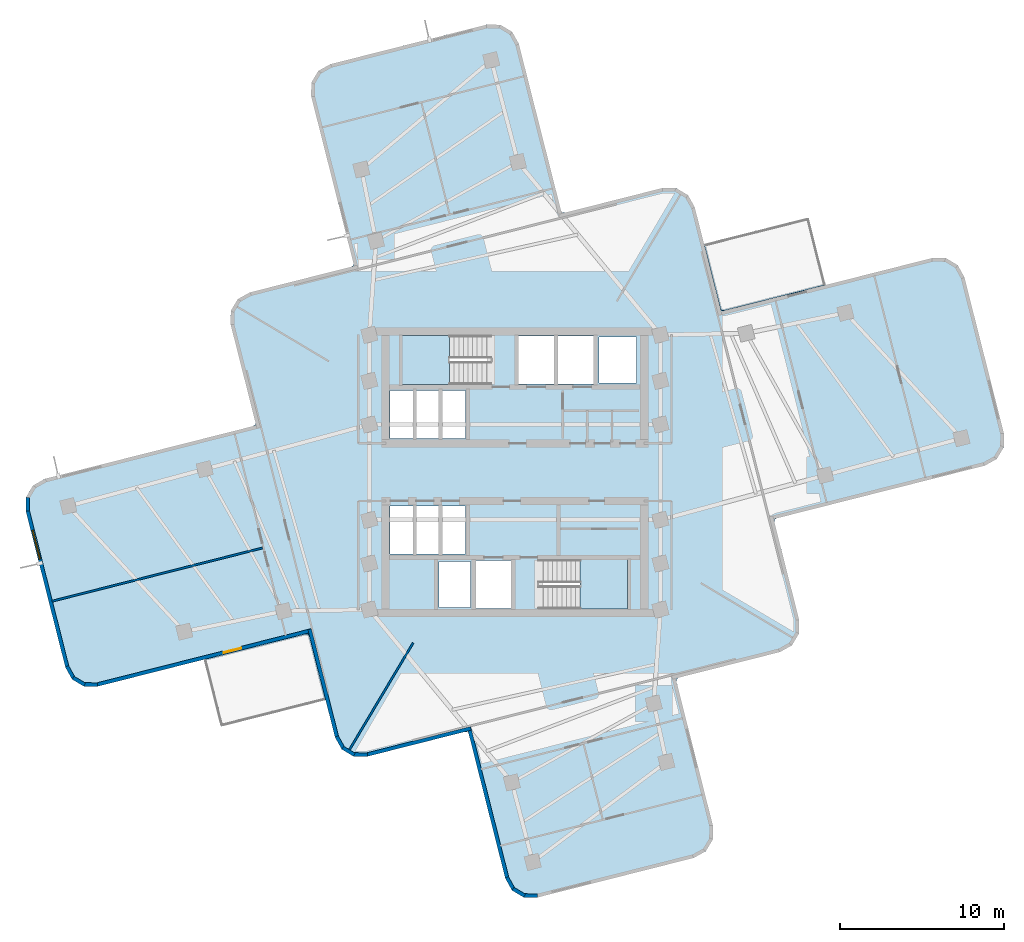
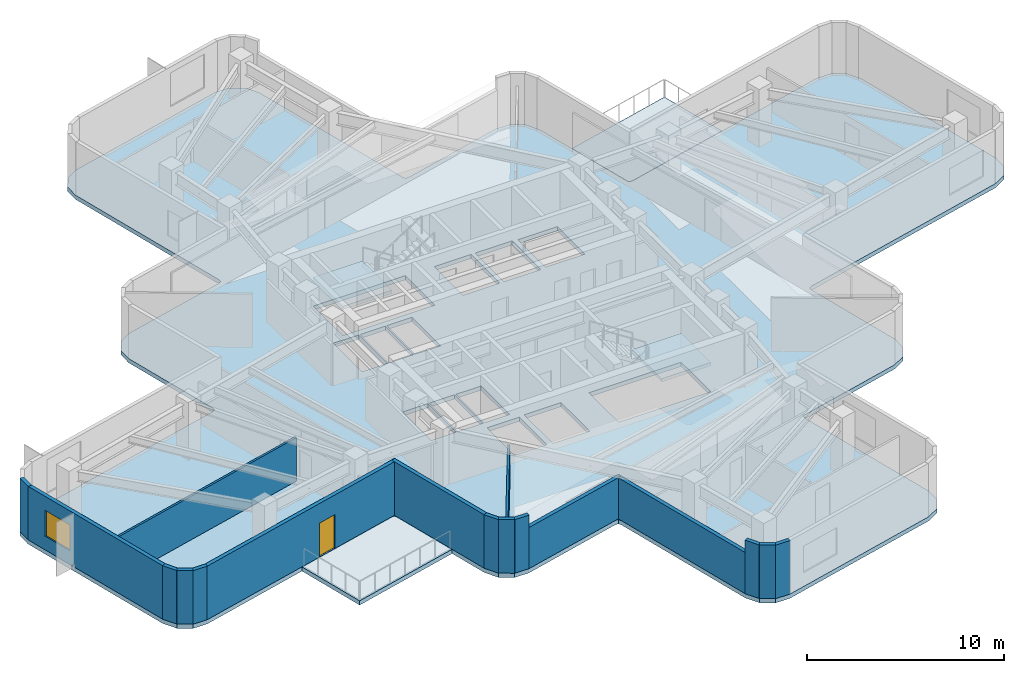
# One storey, part 2 of 9: 17 walls, 5 slabs, 1 door, 1 window, 2 openings, 2 elements without a shape of their own.
"""IFC4 building model written with IfcOpenShell, lengths in metres."""

from ifc_helpers import new_model, si_unit, direction, frame, frame_2d, origin, place, context, subcontext, project, spatial, polyline, rectangle, outline, extrude, material, layer, layer_set, type_object, element, fill, aggregate, save


model = new_model("IFC4")

# Units and contexts
model_context = context("Model", 3, precision=1e-05, world=origin(), true_north=direction((0.0, 1.0)))
body_context = subcontext(model_context, "Body", "Model", "MODEL_VIEW")
ifc_project = project(units=[si_unit("LENGTHUNIT", "METRE"), si_unit("AREAUNIT", "SQUARE_METRE"), si_unit("VOLUMEUNIT", "CUBIC_METRE"), si_unit("PLANEANGLEUNIT", "RADIAN"), si_unit("MASSUNIT", "GRAM", prefix="KILO")], contexts=[model_context])

# Site, building, storey
site_placement = place(None, origin())
site = spatial("IfcSite", under=ifc_project, at=site_placement, CompositionType="ELEMENT")
building_placement = place(site_placement, origin())
building = spatial("IfcBuilding", under=site, at=building_placement, Name="Solmarez Civic Tower", CompositionType="ELEMENT")
storey_placement = place(building_placement, frame((0.0, 0.0, 130.679931640625)))
storey = spatial("IfcBuildingStorey", under=building, at=storey_placement, Name="L34", CompositionType="ELEMENT", Elevation=130.679931640625)

# Stair, slab
ifc_material_1 = material(Name="Concrete C50/60", Category="concrete")
stair_type = type_object("IfcStairType", Name="STAIR-DOGLEG-140W-20R-1800", PredefinedType="HALF_TURN_STAIR", material=ifc_material_1)
stair_1_placement = place(storey_placement, origin())
stair_1 = element("IfcStair", 1, at=stair_1_placement, inside=storey, type_object=stair_type, Name="L34 North Core Protected Exit Stair ST-1", PredefinedType="HALF_TURN_STAIR")
ifc_layer_1 = layer(ifc_material_1, 0.199951171875)
ifc_layer_set_1 = layer_set([ifc_layer_1], Name="Concrete C50/60")
slab_type_1 = type_object("IfcSlabType", Name="SLAB-LANDING-200", PredefinedType="LANDING", material=ifc_layer_set_1)
slab_1_placement = place(storey_placement, frame((0.0, 0.0, 1.60009765625)))
slab_1 = element("IfcSlab", 2, at=slab_1_placement, type_object=slab_type_1, Name="ST-1 landing 1", PredefinedType="LANDING", context=body_context, shape_type="SweptSolid", body=[
    extrude(outline(polyline([(-3.969970703125, 8.320068359375), (-6.85009765625, 8.320068359375), (-6.85009765625, 5.320068359375), (-3.969970703125, 5.320068359375), (-3.969970703125, 8.320068359375)])), origin(), (0.0, 0.0, 1.0), 0.199951171875),
])
aggregate(stair_1, [slab_1])

stair_2_placement = place(storey_placement, origin())
stair_2 = element("IfcStair", 3, at=stair_2_placement, inside=storey, type_object=stair_type, Name="L34 South Core Protected Exit Stair ST-2", PredefinedType="HALF_TURN_STAIR")
slab_2_placement = place(storey_placement, frame((0.0, 0.0, 1.60009765625)))
slab_2 = element("IfcSlab", 4, at=slab_2_placement, type_object=slab_type_1, Name="ST-2 landing 1", PredefinedType="LANDING", context=body_context, shape_type="SweptSolid", body=[
    extrude(outline(polyline([(3.969970703125, -8.320068359375), (6.85009765625, -8.320068359375), (6.85009765625, -5.320068359375), (3.969970703125, -5.320068359375), (3.969970703125, -8.320068359375)])), origin(), (0.0, 0.0, 1.0), 0.199951171875),
])
aggregate(stair_2, [slab_2])

# Slabs
ifc_layer_2 = layer(ifc_material_1, 0.260009765625)
ifc_layer_set_2 = layer_set([ifc_layer_2], Name="Concrete C50/60")
slab_type_2 = type_object("IfcSlabType", Name="SLAB-TOWER-260", PredefinedType="FLOOR", material=ifc_layer_set_2)
slab_3_placement = place(storey_placement, frame((0.0, 0.0, -0.260009765625)))
element("IfcSlab", 5, at=slab_3_placement, inside=storey, type_object=slab_type_2, Name="L34 Structural Slab", PredefinedType="FLOOR", context=body_context, shape_type="SweptSolid", body=[
    extrude(outline(polyline([(-12.48388671875, -9.97802734375), (-10.928955078125, -16.1240234375), (-10.52490234375, -16.846923828125), (-9.81298828125, -17.27099609375), (-8.985107421875, -17.281982421875), (-3.052978515625, -15.781005859375), (-2.881103515625, -15.782958984375), (-2.797119140625, -15.93408203125), (-0.5791015625, -24.697021484375), (-0.175048828125, -25.419921875), (0.535888671875, -25.843994140625), (1.364013671875, -25.85498046875), (10.884033203125, -23.446044921875), (11.60693359375, -23.0419921875), (12.031005859375, -22.3310546875), (12.04296875, -21.5029296875), (9.824951171875, -12.739990234375), (9.827880859375, -12.568115234375), (9.97802734375, -12.48388671875), (16.1240234375, -10.928955078125), (16.846923828125, -10.52490234375), (17.27099609375, -9.81298828125), (17.281982421875, -8.985107421875), (15.781005859375, -3.052978515625), (15.782958984375, -2.881103515625), (15.93408203125, -2.797119140625), (28.574951171875, 0.402099609375), (29.297119140625, 0.805908203125), (29.721923828125, 1.51708984375), (29.73291015625, 2.344970703125), (27.323974609375, 11.864990234375), (26.919921875, 12.587890625), (26.208984375, 13.011962890625), (25.381103515625, 13.02392578125), (12.739990234375, 9.824951171875), (12.568115234375, 9.827880859375), (12.48388671875, 9.97802734375), (10.928955078125, 16.1240234375), (10.52490234375, 16.846923828125), (9.81298828125, 17.27099609375), (8.985107421875, 17.281982421875), (3.052978515625, 15.781005859375), (2.881103515625, 15.782958984375), (2.797119140625, 15.93408203125), (0.236083984375, 26.053955078125), (-0.16796875, 26.777099609375), (-0.87890625, 27.200927734375), (-1.7080078125, 27.212890625), (-11.22802734375, 24.803955078125), (-11.950927734375, 24.39990234375), (-12.375, 23.68798828125), (-12.385986328125, 22.860107421875), (-9.824951171875, 12.739990234375), (-9.827880859375, 12.568115234375), (-9.97802734375, 12.48388671875), (-16.1240234375, 10.928955078125), (-16.846923828125, 10.52490234375), (-17.27099609375, 9.81298828125), (-17.281982421875, 8.985107421875), (-15.781005859375, 3.052978515625), (-15.782958984375, 2.881103515625), (-15.93408203125, 2.797119140625), (-28.574951171875, -0.402099609375), (-29.297119140625, -0.805908203125), (-29.721923828125, -1.51708984375), (-29.73291015625, -2.344970703125), (-27.323974609375, -11.864990234375), (-26.919921875, -12.587890625), (-26.208984375, -13.011962890625), (-25.381103515625, -13.02392578125), (-12.739990234375, -9.824951171875), (-12.568115234375, -9.827880859375), (-12.48388671875, -9.97802734375)]), holes=[polyline([(-1.449951171875, 8.320068359375), (-6.85009765625, 8.320068359375), (-6.85009765625, 5.320068359375), (-1.449951171875, 5.320068359375), (-1.449951171875, 8.320068359375)]), polyline([(1.449951171875, -8.320068359375), (6.85009765625, -8.320068359375), (6.85009765625, -5.320068359375), (1.449951171875, -5.320068359375), (1.449951171875, -8.320068359375)]), polyline([(0.219970703125, 5.360107421875), (2.3798828125, 5.360107421875), (2.3798828125, 8.280029296875), (0.219970703125, 8.280029296875), (0.219970703125, 5.360107421875)]), polyline([(2.6201171875, 5.360107421875), (4.780029296875, 5.360107421875), (4.780029296875, 8.280029296875), (2.6201171875, 8.280029296875), (2.6201171875, 5.360107421875)]), polyline([(-2.3798828125, -8.280029296875), (-0.219970703125, -8.280029296875), (-0.219970703125, -5.360107421875), (-2.3798828125, -5.360107421875), (-2.3798828125, -8.280029296875)]), polyline([(-7.60009765625, -4.9599609375), (-6.1201171875, -4.9599609375), (-6.1201171875, -2.06005859375), (-7.60009765625, -2.06005859375), (-7.60009765625, -4.9599609375)]), polyline([(-6.0400390625, -4.9599609375), (-4.56005859375, -4.9599609375), (-4.56005859375, -2.06005859375), (-6.0400390625, -2.06005859375), (-6.0400390625, -4.9599609375)]), polyline([(-4.47998046875, -4.9599609375), (-3.0, -4.9599609375), (-3.0, -2.06005859375), (-4.47998046875, -2.06005859375), (-4.47998046875, -4.9599609375)]), polyline([(-7.60009765625, 2.06005859375), (-6.1201171875, 2.06005859375), (-6.1201171875, 4.9599609375), (-7.60009765625, 4.9599609375), (-7.60009765625, 2.06005859375)]), polyline([(-6.0400390625, 2.06005859375), (-4.56005859375, 2.06005859375), (-4.56005859375, 4.9599609375), (-6.0400390625, 4.9599609375), (-6.0400390625, 2.06005859375)]), polyline([(-4.47998046875, 2.06005859375), (-3.0, 2.06005859375), (-3.0, 4.9599609375), (-4.47998046875, 4.9599609375), (-4.47998046875, 2.06005859375)]), polyline([(5.10009765625, 5.419921875), (7.39990234375, 5.419921875), (7.39990234375, 8.219970703125), (5.10009765625, 8.219970703125), (5.10009765625, 5.419921875)]), polyline([(-4.60009765625, -8.219970703125), (-2.699951171875, -8.219970703125), (-2.699951171875, -5.419921875), (-4.60009765625, -5.419921875), (-4.60009765625, -8.219970703125)])]), origin(), (0.0, 0.0, 1.0), 0.260009765625),
])
slab_4_placement = place(storey_placement, frame((0.0, 0.0, -0.260009765625)))
element("IfcSlab", 6, at=slab_4_placement, inside=storey, type_object=slab_type_2, Name="L34 Re-entrant Corner Winter-Garden Balcony NE", PredefinedType="FLOOR", context=body_context, shape_type="SweptSolid", body=[
    extrude(outline(polyline([(11.507080078125, 13.845947265625), (12.486083984375, 9.97900390625), (12.569091796875, 9.830078125), (12.739013671875, 9.826904296875), (18.885009765625, 11.382080078125), (17.85498046875, 15.451904296875), (11.507080078125, 13.845947265625)])), origin(), (0.0, 0.0, 1.0), 0.260009765625),
])
slab_5_placement = place(storey_placement, frame((0.0, 0.0, -0.260009765625)))
element("IfcSlab", 7, at=slab_5_placement, inside=storey, type_object=slab_type_2, Name="L34 Re-entrant Corner Winter-Garden Balcony SW", PredefinedType="FLOOR", context=body_context, shape_type="SweptSolid", body=[
    extrude(outline(polyline([(-11.507080078125, -13.845947265625), (-12.486083984375, -9.97900390625), (-12.569091796875, -9.830078125), (-12.739013671875, -9.826904296875), (-18.885009765625, -11.382080078125), (-17.85498046875, -15.451904296875), (-11.507080078125, -13.845947265625)])), origin(), (0.0, 0.0, 1.0), 0.260009765625),
])

# Wall, opening, door
ifc_material_2 = material(Name="Precast concrete C40/50", Category="concrete")
ifc_layer_3 = layer(ifc_material_2, 0.219970703125)
ifc_layer_set_3 = layer_set([ifc_layer_3], Name="Precast concrete C40/50")
wall_type_1 = type_object("IfcWallType", Name="WALL-EXT-220", PredefinedType="SOLIDWALL", material=ifc_layer_set_3)
wall_1_placement = place(storey_placement, frame((-12.37109375, -9.617919921875, 0.0), z_axis=(0.0, 0.0, 1.0), x_axis=(-0.969434127448, -0.245351732293, 0.0)))
wall_1 = element("IfcWall", 8, at=wall_1_placement, inside=storey, type_object=wall_type_1, Name="L34 Exterior Precast Wall 2", PredefinedType="SOLIDWALL", context=body_context, shape_type="SweptSolid", body=[
    extrude(rectangle(XDim=13.458251953125, YDim=0.219970703125, at=frame_2d((6.72900390625, 0.0))), origin(), (0.0, 0.0, 1.0), 3.320068359375),
])
opening_1_placement = place(wall_1_placement, frame((4.39990234375, 0.0, 0.0)))
opening_1 = element("IfcOpeningElement", 9, at=opening_1_placement, cuts=wall_1, Name="Opening D-06", PredefinedType="OPENING", context=body_context, shape_type="SweptSolid", body=[
    extrude(rectangle(XDim=1.10009765625, YDim=2.10009765625, at=frame_2d((0.550048828125, 1.050048828125))), frame((0.0, 0.119873046875, 0.0), z_axis=(0.0, -1.0, 0.0), x_axis=(1.0, 0.0, 0.0)), (0.0, 0.0, 1.0), 0.239990234375),
])
ifc_material_3 = material(Name="Bronze Anodised Aluminium Glazed Terrace Door", Category="aluminium")
door_type = type_object("IfcDoorType", Name="DOOR-TERR-1100", OperationType="NOTDEFINED", PredefinedType="DOOR", material=ifc_material_3)
door_placement = place(opening_1_placement, origin())
door = element("IfcDoor", 10, at=door_placement, inside=storey, type_object=door_type, Name="L34 Outdoor Terrace Glazed Door", OperationType="SINGLE_SWING_RIGHT", OverallHeight=2.10009765625, OverallWidth=1.10009765625, PredefinedType="DOOR", context=body_context, shape_type="SweptSolid", body=[
    extrude(rectangle(XDim=1.10009765625, YDim=2.10009765625, at=frame_2d((0.550048828125, 1.050048828125))), frame((0.0, 0.02490234375, 0.0), z_axis=(0.0, -1.0, 0.0), x_axis=(1.0, 0.0, 0.0)), (0.0, 0.0, 1.0), 0.050048828125),
])
fill(opening_1, door)

# Walls
wall_2_placement = place(storey_placement, frame((-25.368896484375, -12.9140625, 0.0), z_axis=(0.0, 0.0, 1.0), x_axis=(-0.999913243347, 0.013172159236, 0.0)))
element("IfcWall", 11, at=wall_2_placement, inside=storey, type_object=wall_type_1, Name="L34 Exterior Precast Wall 3", PredefinedType="SOLIDWALL", context=body_context, shape_type="SweptSolid", body=[
    extrude(rectangle(XDim=0.833984375, YDim=0.219970703125, at=frame_2d((0.4169921875, 0.0))), origin(), (0.0, 0.0, 1.0), 3.320068359375),
])
wall_3_placement = place(storey_placement, frame((-26.156982421875, -12.916015625, 0.0), z_axis=(0.0, 0.0, 1.0), x_axis=(-0.858543269067, 0.512741119026, 0.0)))
element("IfcWall", 12, at=wall_3_placement, inside=storey, type_object=wall_type_1, Name="L34 Exterior Precast Wall 4", PredefinedType="SOLIDWALL", context=body_context, shape_type="SweptSolid", body=[
    extrude(rectangle(XDim=0.819091796875, YDim=0.219970703125, at=frame_2d((0.40966796875, 0.0))), origin(), (0.0, 0.0, 1.0), 3.320068359375),
])
wall_4_placement = place(storey_placement, frame((-26.826904296875, -12.531005859375, 0.0), z_axis=(0.0, 0.0, 1.0), x_axis=(-0.486561807946, 0.873646156661, 0.0)))
element("IfcWall", 13, at=wall_4_placement, inside=storey, type_object=wall_type_1, Name="L34 Exterior Precast Wall 5", PredefinedType="SOLIDWALL", context=body_context, shape_type="SweptSolid", body=[
    extrude(rectangle(XDim=0.83447265625, YDim=0.219970703125, at=frame_2d((0.417236328125, 0.0))), origin(), (0.0, 0.0, 1.0), 3.320068359375),
])

# Wall, opening, window
wall_5_placement = place(storey_placement, frame((-27.215087890625, -11.847900390625, 0.0), z_axis=(0.0, 0.0, 1.0), x_axis=(-0.245295842673, 0.969448270702, 0.0)))
wall_5 = element("IfcWall", 14, at=wall_5_placement, inside=storey, type_object=wall_type_1, Name="L34 Exterior Precast Wall 6", PredefinedType="SOLIDWALL", context=body_context, shape_type="SweptSolid", body=[
    extrude(rectangle(XDim=9.84033203125, YDim=0.219970703125, at=frame_2d((4.920166015625, 0.0))), origin(), (0.0, 0.0, 1.0), 3.320068359375),
])
opening_2_placement = place(wall_5_placement, frame((6.77587890625, 0.0, 0.85009765625)))
opening_2 = element("IfcOpeningElement", 15, at=opening_2_placement, cuts=wall_5, Name="Opening W-12", PredefinedType="OPENING", context=body_context, shape_type="SweptSolid", body=[
    extrude(rectangle(XDim=1.800048828125, YDim=1.60009765625, at=frame_2d((0.89990234375, 0.800048828125))), frame((0.0, 0.119873046875, 0.0), z_axis=(0.0, -1.0, 0.0), x_axis=(1.0, 0.0, 0.0)), (0.0, 0.0, 1.0), 0.239990234375),
])
ifc_material_4 = material(Name="Solar Control Bronze-Tinted Insulating Glass", Category="glass")
window_type = type_object("IfcWindowType", Name="WIN-1800X1600", PartitioningType="SINGLE_PANEL", PredefinedType="WINDOW", material=ifc_material_4)
window_placement = place(opening_2_placement, origin())
window = element("IfcWindow", 16, at=window_placement, inside=storey, type_object=window_type, Name="L34 Exterior Facade Window 6", OverallHeight=1.60009765625, OverallWidth=1.800048828125, PartitioningType="SINGLE_PANEL", PredefinedType="WINDOW", context=body_context, shape_type="SweptSolid", body=[
    extrude(rectangle(XDim=1.800048828125, YDim=1.60009765625, at=frame_2d((0.89990234375, 0.800048828125))), frame((0.0, 0.030029296875, 0.0), z_axis=(0.0, -1.0, 0.0), x_axis=(1.0, 0.0, 0.0)), (0.0, 0.0, 1.0), 0.06005859375),
])
fill(opening_2, window)

# Walls
for number, where, z_axis, x_axis, name in (
    (17, (-29.623046875, -2.35693359375, 0.0), (0.0, 0.0, 1.0), (0.013172159236, 0.999913243347, 0.0), "L34 Exterior Precast Wall 7"),
    (18, (1.3759765625, -25.7451171875, 0.0), (0.0, 0.0, 1.0), (-0.999909345183, 0.013464821393, 0.0), "L34 Exterior Precast Wall 61"),
):
    element("IfcWall", number, at=place(storey_placement, frame(where, z_axis=z_axis, x_axis=x_axis)), inside=storey, type_object=wall_type_1, Name=name, PredefinedType="SOLIDWALL", context=body_context, shape_type="SweptSolid", body=[
        extrude(rectangle(XDim=0.833984375, YDim=0.219970703125, at=frame_2d((0.4169921875, 0.0))), origin(), (0.0, 0.0, 1.0), 3.320068359375),
    ])
wall_6_placement = place(storey_placement, frame((0.587890625, -25.7470703125, 0.0), z_axis=(0.0, 0.0, 1.0), x_axis=(-0.858333573747, 0.513092073782, 0.0)))
element("IfcWall", 19, at=wall_6_placement, inside=storey, type_object=wall_type_1, Name="L34 Exterior Precast Wall 62", PredefinedType="SOLIDWALL", context=body_context, shape_type="SweptSolid", body=[
    extrude(rectangle(XDim=0.81884765625, YDim=0.219970703125, at=frame_2d((0.409423828125, 0.0))), origin(), (0.0, 0.0, 1.0), 3.320068359375),
])
wall_7_placement = place(storey_placement, frame((-0.08203125, -25.362060546875, 0.0), z_axis=(0.0, 0.0, 1.0), x_axis=(-0.487059722252, 0.87336866612, 0.0)))
element("IfcWall", 20, at=wall_7_placement, inside=storey, type_object=wall_type_1, Name="L34 Exterior Precast Wall 63", PredefinedType="SOLIDWALL", context=body_context, shape_type="SweptSolid", body=[
    extrude(rectangle(XDim=0.83349609375, YDim=0.219970703125, at=frame_2d((0.416748046875, 0.0))), origin(), (0.0, 0.0, 1.0), 3.320068359375),
])
wall_8_placement = place(storey_placement, frame((-0.469970703125, -24.679931640625, 0.0), z_axis=(0.0, 0.0, 1.0), x_axis=(-0.245401293719, 0.969421582719, 0.0)))
element("IfcWall", 21, at=wall_8_placement, inside=storey, type_object=wall_type_1, Name="L34 Exterior Precast Wall 64", PredefinedType="SOLIDWALL", context=body_context, shape_type="SweptSolid", body=[
    extrude(rectangle(XDim=9.458251953125, YDim=0.219970703125, at=frame_2d((4.72900390625, 0.0))), origin(), (0.0, 0.0, 1.0), 2.550048828125),
])
wall_9_placement = place(storey_placement, frame((-2.68408203125, -15.573974609375, 0.0), z_axis=(0.0, 0.0, 1.0), x_axis=(-0.969435490349, -0.245346347134, 0.0)))
element("IfcWall", 22, at=wall_9_placement, inside=storey, type_object=wall_type_1, Name="L34 Exterior Precast Wall 67", PredefinedType="SOLIDWALL", context=body_context, shape_type="SweptSolid", body=[
    extrude(rectangle(XDim=6.53759765625, YDim=0.219970703125, at=frame_2d((3.268798828125, 0.0))), origin(), (0.0, 0.0, 1.0), 2.550048828125),
])
wall_10_placement = place(storey_placement, frame((-8.972900390625, -17.172119140625, 0.0), z_axis=(0.0, 0.0, 1.0), x_axis=(-0.999909345183, 0.013464821393, 0.0)))
element("IfcWall", 23, at=wall_10_placement, inside=storey, type_object=wall_type_1, Name="L34 Exterior Precast Wall 68", PredefinedType="SOLIDWALL", context=body_context, shape_type="SweptSolid", body=[
    extrude(rectangle(XDim=0.833984375, YDim=0.219970703125, at=frame_2d((0.4169921875, 0.0))), origin(), (0.0, 0.0, 1.0), 3.320068359375),
])
wall_11_placement = place(storey_placement, frame((-9.760986328125, -17.174072265625, 0.0), z_axis=(0.0, 0.0, 1.0), x_axis=(-0.858412031951, 0.512960801038, 0.0)))
element("IfcWall", 24, at=wall_11_placement, inside=storey, type_object=wall_type_1, Name="L34 Exterior Precast Wall 69", PredefinedType="SOLIDWALL", context=body_context, shape_type="SweptSolid", body=[
    extrude(rectangle(XDim=0.819091796875, YDim=0.219970703125, at=frame_2d((0.40966796875, 0.0))), origin(), (0.0, 0.0, 1.0), 3.320068359375),
])
wall_12_placement = place(storey_placement, frame((-10.430908203125, -16.7890625, 0.0), z_axis=(0.0, 0.0, 1.0), x_axis=(-0.487952561671, 0.872870149311, 0.0)))
element("IfcWall", 25, at=wall_12_placement, inside=storey, type_object=wall_type_1, Name="L34 Exterior Precast Wall 70", PredefinedType="SOLIDWALL", context=body_context, shape_type="SweptSolid", body=[
    extrude(rectangle(XDim=0.833984375, YDim=0.219970703125, at=frame_2d((0.4169921875, 0.0))), origin(), (0.0, 0.0, 1.0), 3.320068359375),
])
wall_13_placement = place(storey_placement, frame((-10.820068359375, -16.10693359375, 0.0), z_axis=(0.0, 0.0, 1.0), x_axis=(-0.245314006561, 0.969443674581, 0.0)))
element("IfcWall", 26, at=wall_13_placement, inside=storey, type_object=wall_type_1, Name="L34 Exterior Precast Wall 71", PredefinedType="SOLIDWALL", context=body_context, shape_type="SweptSolid", body=[
    extrude(rectangle(XDim=6.758544921875, YDim=0.219970703125, at=frame_2d((3.37939453125, 0.0))), origin(), (0.0, 0.0, 1.0), 3.320068359375),
])
ifc_material_5 = material(Name="Gypsum Board Acoustic Steel-Stud Partition", Category="steel")
ifc_layer_4 = layer(ifc_material_5, 0.1201171875)
ifc_layer_set_4 = layer_set([ifc_layer_4], Name="Gypsum Board Acoustic Steel-Stud Partition")
wall_type_2 = type_object("IfcWallType", Name="WALL-INT-PART-120", PredefinedType="PARTITIONING", material=ifc_layer_set_4)
wall_14_placement = place(storey_placement, frame((-6.18798828125, -10.3798828125, 0.0), z_axis=(0.0, 0.0, 1.0), x_axis=(-0.511972353143, -0.859001926434, 0.0)))
element("IfcWall", 27, at=wall_14_placement, inside=storey, type_object=wall_type_2, Name="L34 Interior Partition PT-L34-QDIV-3", PredefinedType="PARTITIONING", context=body_context, shape_type="SweptSolid", body=[
    extrude(rectangle(XDim=7.59033203125, YDim=0.1201171875, at=frame_2d((3.795166015625, 0.0))), origin(), (0.0, 0.0, 1.0), 2.550048828125),
])
wall_15_placement = place(storey_placement, frame((-15.339111328125, -4.60400390625, 0.0), z_axis=(0.0, 0.0, 1.0), x_axis=(-0.969461701565, -0.245242755651, 0.0)))
element("IfcWall", 28, at=wall_15_placement, inside=storey, type_object=wall_type_2, Name="L34 Interior Partition PT-L34-W-TM3", PredefinedType="PARTITIONING", context=body_context, shape_type="SweptSolid", body=[
    extrude(rectangle(XDim=13.21533203125, YDim=0.1201171875, at=frame_2d((6.607666015625, 0.0))), origin(), (0.0, 0.0, 1.0), 2.699951171875),
])

save(model, "model.ifc")
